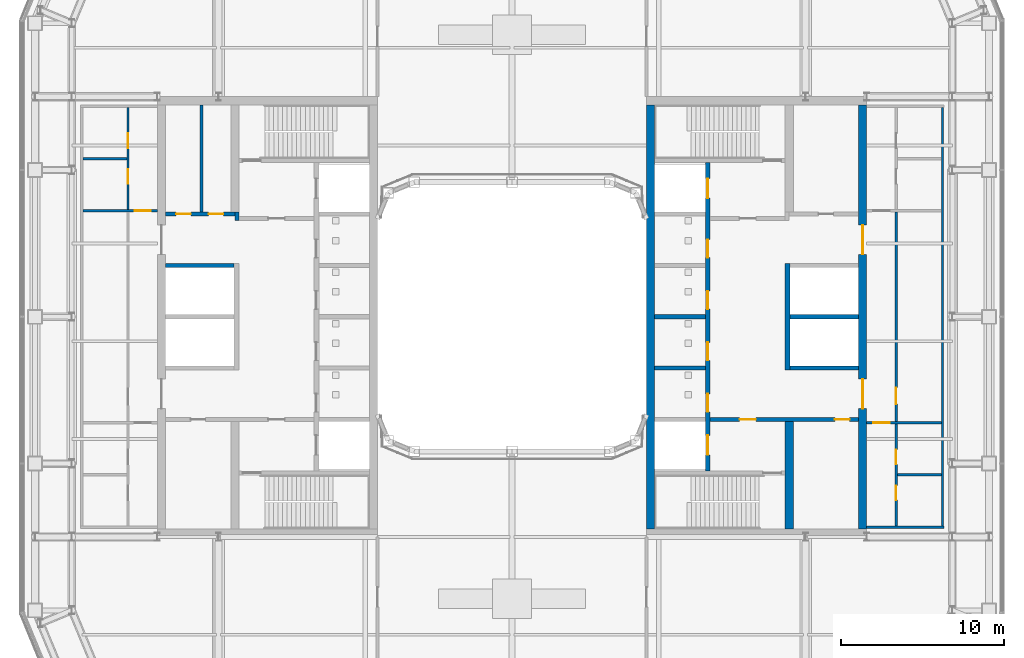
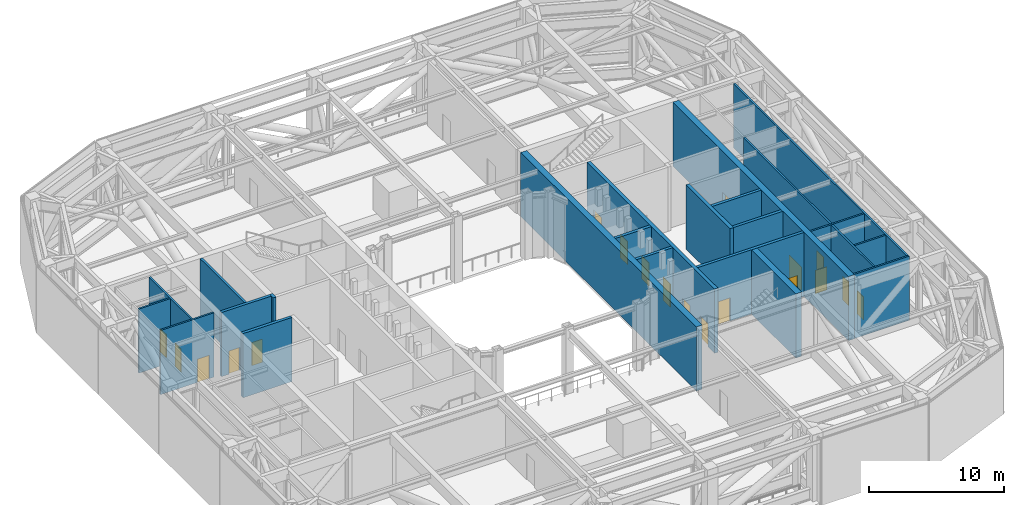
# One storey, part 12 of 22: 23 walls, 19 doors, 19 openings.
"""IFC4 building model written with IfcOpenShell, lengths in metres."""

import ifcopenshell
import ifcopenshell.guid

model = None  # the IFC model being written
_history = None  # IfcOwnerHistory: only IFC2X3 demands one
_inside = {}  # id of a spatial element -> (the spatial element, [elements in it])
_under = {}  # id of a project, library or spatial element -> (it, [spatial elements below it])
_declared = {}  # id of a project -> (the project, [libraries it declares])
_typed = {}  # id of a type object -> (the type object, [elements of that type])
_made_of = {}  # id of a material, layer set ... -> (it, [elements and type objects made of it])


def new_model(schema):
    """Start an empty IFC model of exactly this schema.

    Asked for "IFC4X3", IfcOpenShell would pick the latest addendum, in which some entities
    have other attributes; the version numbers below select the first issue.
    IFC2X3 requires an IfcOwnerHistory on every rooted entity: one is made here for all.
    """
    global model, _history
    if schema == "IFC4X3":
        model = ifcopenshell.file(schema_version=(4, 3, 0, 0))
    else:
        model = ifcopenshell.file(schema=schema)
    _inside.clear()
    _under.clear()
    _declared.clear()
    _typed.clear()
    _made_of.clear()
    _history = None
    if model.schema == "IFC2X3":
        org = make("IfcOrganization", Name="unknown")
        user = make(
            "IfcPersonAndOrganization",
            ThePerson=make("IfcPerson", FamilyName="unknown"),
            TheOrganization=org,
        )
        app = make(
            "IfcApplication",
            ApplicationDeveloper=org,
            Version="unknown",
            ApplicationFullName="unknown",
            ApplicationIdentifier="unknown",
        )
        _history = make(
            "IfcOwnerHistory",
            OwningUser=user,
            OwningApplication=app,
            ChangeAction="ADDED",
            CreationDate=0,
        )
    return model


def make(cls, **values):
    """One entity of the class cls with the attributes given. An attribute that is None is left unset."""
    return model.create_entity(
        cls, **{name: value for name, value in values.items() if value is not None}
    )


def rooted(cls, **values):
    """An entity with a GlobalId (a new one), such as an element, a storey or a relation."""
    return make(cls, GlobalId=ifcopenshell.guid.new(), OwnerHistory=_history, **values)


def si_unit(unit_type, name, prefix=None):
    """IfcSIUnit, for example si_unit("LENGTHUNIT", "METRE", prefix="MILLI")."""
    return make("IfcSIUnit", UnitType=unit_type, Prefix=prefix, Name=name)


def assignment(units):
    """IfcUnitAssignment: the units of a project."""
    return None if units is None else make("IfcUnitAssignment", Units=units)


def point(xyz):
    """IfcCartesianPoint."""
    return None if xyz is None else make("IfcCartesianPoint", Coordinates=xyz)


def direction(xyz):
    """IfcDirection."""
    return None if xyz is None else make("IfcDirection", DirectionRatios=xyz)


def frame(location, z_axis=None, x_axis=None):
    """IfcAxis2Placement3D, a coordinate frame: its origin and axes. An axis left out is left unset."""
    return make(
        "IfcAxis2Placement3D",
        Location=point(location),
        Axis=direction(z_axis),
        RefDirection=direction(x_axis),
    )


def frame_2d(location, x_axis=None):
    """IfcAxis2Placement2D, a coordinate frame in the plane: its origin and x axis."""
    return make(
        "IfcAxis2Placement2D", Location=point(location), RefDirection=direction(x_axis)
    )


def origin():
    """The frame at (0, 0, 0) with its axes left unset."""
    return frame((0.0, 0.0, 0.0))


def place(relative_to, where):
    """IfcLocalPlacement: puts the frame where relative to a parent placement (None: the world)."""
    return make(
        "IfcLocalPlacement", PlacementRelTo=relative_to, RelativePlacement=where
    )


def context(
    kind, dimensions, precision=None, world=None, true_north=None, identifier=None
):
    """IfcGeometricRepresentationContext, for example the 3D "Model" context."""
    return make(
        "IfcGeometricRepresentationContext",
        ContextIdentifier=identifier,
        ContextType=kind,
        CoordinateSpaceDimension=dimensions,
        Precision=precision,
        WorldCoordinateSystem=world,
        TrueNorth=true_north,
    )


def subcontext(parent, identifier, kind, view, scale=None):
    """IfcGeometricRepresentationSubContext, for example "Body" below "Model"."""
    return make(
        "IfcGeometricRepresentationSubContext",
        ContextIdentifier=identifier,
        ContextType=kind,
        ParentContext=parent,
        TargetScale=scale,
        TargetView=view,
    )


def project(units=None, contexts=None):
    """IfcProject with its units and contexts."""
    return rooted(
        "IfcProject",
        Name="project",
        RepresentationContexts=contexts,
        UnitsInContext=assignment(units),
    )


def spatial(cls, under=None, at=None, **own):
    """A site, building, storey or space (cls), placed at a placement, below another one or the project."""
    s = rooted(cls, ObjectPlacement=at, **own)
    if under is not None:
        _under.setdefault(under.id(), (under, []))[1].append(s)
    return s


def profile(cls, at=None, kind="AREA", **sizes):
    """A parametric profile (cls). Its sizes go by their IFC names, for example OverallWidth=200.0."""
    return make(cls, ProfileType=kind, Position=at, **sizes)


def rectangle(**sizes):
    """IfcRectangleProfileDef."""
    return profile("IfcRectangleProfileDef", **sizes)


def extrude(swept, where, along, depth):
    """IfcExtrudedAreaSolid: the profile swept, set in the frame where, extruded along a direction by depth."""
    return make(
        "IfcExtrudedAreaSolid",
        SweptArea=swept,
        Position=where,
        ExtrudedDirection=direction(along),
        Depth=depth,
    )


def shape(context_of_items, identifier, shape_type, items):
    """IfcShapeRepresentation: the items that make up one representation, for example the "Body"."""
    return make(
        "IfcShapeRepresentation",
        ContextOfItems=context_of_items,
        RepresentationIdentifier=identifier,
        RepresentationType=shape_type,
        Items=items,
    )


def material(Name=None, Category=None):
    """IfcMaterial."""
    return make("IfcMaterial", Name=Name, Category=Category)


def layer(
    of_material, thickness, ventilated=None, Name=None, Category=None, Priority=None
):
    """IfcMaterialLayer: one layer of a wall or slab, of a material (None: an air gap)."""
    return make(
        "IfcMaterialLayer",
        Material=of_material,
        LayerThickness=thickness,
        IsVentilated=ventilated,
        Name=Name,
        Category=Category,
        Priority=Priority,
    )


def layer_set(layers, Name=None):
    """IfcMaterialLayerSet."""
    return make("IfcMaterialLayerSet", MaterialLayers=layers, LayerSetName=Name)


def made_of(thing, what):
    """Note that an element or type object is made of a material, layer set ...; save() writes the relation."""
    if what is not None:
        _made_of.setdefault(what.id(), (what, []))[1].append(thing)
    return thing


def type_object(cls, material=None, **own):
    """A type object (cls), such as IfcWallType, which elements share."""
    return made_of(rooted(cls, **own), material)


def element(
    cls,
    number,
    at=None,
    inside=None,
    cuts=None,
    type_object=None,
    material=None,
    context=None,
    identifier="Body",
    shape_type=None,
    held_by="IfcProductDefinitionShape",
    body=None,
    shapes=None,
    **own,
):
    """One element of the class cls, such as IfcWall. Its Tag is "e" and its number.

    at: its placement. inside: the storey or other place that contains it. cuts: it is an
    opening in that element (IfcRelVoidsElement). A single representation is given by context,
    identifier, shape_type and body (its items); several are given by shapes. held_by: the class
    of the entity that holds the representations. save() writes the other relations.
    """
    e = rooted(cls, Tag="e%d" % number, ObjectPlacement=at, **own)
    if body is not None:
        shapes = [shape(context, identifier, shape_type, body)]
    if shapes is not None:
        e.Representation = make(held_by, Representations=shapes)
    if inside is not None:
        _inside.setdefault(inside.id(), (inside, []))[1].append(e)
    if cuts is not None:
        rooted(
            "IfcRelVoidsElement", RelatingBuildingElement=cuts, RelatedOpeningElement=e
        )
    if type_object is not None:
        _typed.setdefault(type_object.id(), (type_object, []))[1].append(e)
    return made_of(e, material)


def fill(opening, filler):
    """IfcRelFillsElement: the door or window that sits in an opening."""
    return rooted(
        "IfcRelFillsElement",
        RelatingOpeningElement=opening,
        RelatedBuildingElement=filler,
    )


def aggregate(whole, parts):
    """IfcRelAggregates: a whole, such as a stair, and the parts it consists of."""
    return rooted("IfcRelAggregates", RelatingObject=whole, RelatedObjects=parts)


def save(model, path):
    """Write the relations noted so far, then the file.

    IfcRelAggregates (storeys below a building ...), IfcRelContainedInSpatialStructure (elements
    in a storey), IfcRelDefinesByType, IfcRelAssociatesMaterial and IfcRelDeclares: one each for
    every whole, place, type object, material and project.
    """
    for whole, parts in _under.values():
        aggregate(whole, parts)
    for where, things in _inside.values():
        rooted(
            "IfcRelContainedInSpatialStructure",
            RelatedElements=things,
            RelatingStructure=where,
        )
    for kind, things in _typed.values():
        rooted("IfcRelDefinesByType", RelatedObjects=things, RelatingType=kind)
    for what, things in _made_of.values():
        rooted("IfcRelAssociatesMaterial", RelatedObjects=things, RelatingMaterial=what)
    for by, libraries in _declared.values():
        rooted("IfcRelDeclares", RelatingContext=by, RelatedDefinitions=libraries)
    model.write(path)


model = new_model("IFC4")

# Units and contexts
model_context = context("Model", 3, precision=1e-05, world=origin(), true_north=direction((0.0, 1.0)))
body_context = subcontext(model_context, "Body", "Model", "MODEL_VIEW")
ifc_project = project(units=[si_unit("LENGTHUNIT", "METRE"), si_unit("AREAUNIT", "SQUARE_METRE"), si_unit("VOLUMEUNIT", "CUBIC_METRE"), si_unit("PLANEANGLEUNIT", "RADIAN"), si_unit("MASSUNIT", "GRAM", prefix="KILO")], contexts=[model_context])

# Site, building, storey
site_placement = place(None, origin())
site = spatial("IfcSite", under=ifc_project, at=site_placement, CompositionType="ELEMENT")
building_placement = place(site_placement, origin())
building = spatial("IfcBuilding", under=site, at=building_placement, Name="Siwar Civic Tower", CompositionType="ELEMENT")
storey_placement = place(building_placement, frame((0.0, 0.0, 181.199951171875)))
storey = spatial("IfcBuildingStorey", under=building, at=storey_placement, Name="L39", CompositionType="ELEMENT", Elevation=181.199951171875)

# Walls
ifc_material_1 = material(Name="Gypsum board on steel studs", Category="steel")
ifc_layer_1 = layer(ifc_material_1, 0.14990234375)
ifc_layer_set_1 = layer_set([ifc_layer_1], Name="Gypsum board on steel studs")
wall_type_1 = type_object("IfcWallType", Name="COMPARTMENT PARTITION 150 EI 60", PredefinedType="PARTITIONING", material=ifc_layer_set_1)
wall_1_placement = place(storey_placement, frame((21.75, -12.89990234375, 0.0), z_axis=(0.0, 0.0, 1.0), x_axis=(1.0, 0.0, 0.0)))
element("IfcWall", 1, at=wall_1_placement, inside=storey, type_object=wall_type_1, Name="L39/wall/P02", PredefinedType="PARTITIONING", context=body_context, shape_type="SweptSolid", body=[
    extrude(rectangle(XDim=4.72509765625, YDim=0.14990234375, at=frame_2d((2.362548828125, 0.0))), origin(), (0.0, 0.0, 1.0), 5.800048828125),
])
wall_2_placement = place(storey_placement, frame((23.625, -9.699951171875, 0.0), z_axis=(0.0, 0.0, 1.0), x_axis=(1.0, 0.0, 0.0)))
element("IfcWall", 2, at=wall_2_placement, inside=storey, type_object=wall_type_1, Name="L39/wall/P04", PredefinedType="PARTITIONING", context=body_context, shape_type="SweptSolid", body=[
    extrude(rectangle(XDim=2.699951171875, YDim=0.14990234375, at=frame_2d((1.35009765625, 0.0))), origin(), (0.0, 0.0, 1.0), 5.800048828125),
])

# Wall, opening, door
wall_3_placement = place(storey_placement, frame((21.75, -6.5, 0.0), z_axis=(0.0, 0.0, 1.0), x_axis=(1.0, 0.0, 0.0)))
wall_3 = element("IfcWall", 3, at=wall_3_placement, inside=storey, type_object=wall_type_1, Name="L39/wall/P06", PredefinedType="PARTITIONING", context=body_context, shape_type="SweptSolid", body=[
    extrude(rectangle(XDim=4.574951171875, YDim=0.14990234375, at=frame_2d((2.28759765625, 0.0))), origin(), (0.0, 0.0, 1.0), 5.800048828125),
])
opening_1_placement = place(wall_3_placement, frame((0.39990234375, 0.0, 0.0)))
opening_1 = element("IfcOpeningElement", 4, at=opening_1_placement, cuts=wall_3, Name="Opening D1", PredefinedType="OPENING", context=body_context, shape_type="SweptSolid", body=[
    extrude(rectangle(XDim=1.0, YDim=2.10009765625, at=frame_2d((0.5, 1.050048828125))), frame((0.0, 0.0849609375, 0.0), z_axis=(0.0, -1.0, 0.0), x_axis=(1.0, 0.0, 0.0)), (0.0, 0.0, 1.0), 0.169921875),
])
ifc_material_2 = material(Name="Timber, painted", Category="wood")
door_type_1 = type_object("IfcDoorType", Name="DOOR 1000 X 2100 FD30", OperationType="SINGLE_SWING_LEFT", PredefinedType="DOOR", material=ifc_material_2)
door_1_placement = place(opening_1_placement, origin())
door_1 = element("IfcDoor", 5, at=door_1_placement, inside=storey, type_object=door_type_1, Name="L39-D02", OperationType="SINGLE_SWING_RIGHT", OverallHeight=2.10009765625, OverallWidth=1.0, PredefinedType="DOOR", context=body_context, shape_type="SweptSolid", body=[
    extrude(rectangle(XDim=1.0, YDim=2.10009765625, at=frame_2d((0.5, 1.050048828125))), frame((0.0, 0.02490234375, 0.0), z_axis=(0.0, -1.0, 0.0), x_axis=(1.0, 0.0, 0.0)), (0.0, 0.0, 1.0), 0.050048828125),
])
fill(opening_1, door_1)

wall_4_placement = place(storey_placement, frame((-26.324951171875, 6.5, 0.0), z_axis=(0.0, 0.0, 1.0), x_axis=(1.0, 0.0, 0.0)))
wall_4 = element("IfcWall", 6, at=wall_4_placement, inside=storey, type_object=wall_type_1, Name="L39/wall/P07", PredefinedType="PARTITIONING", context=body_context, shape_type="SweptSolid", body=[
    extrude(rectangle(XDim=4.574951171875, YDim=0.14990234375, at=frame_2d((2.28759765625, 0.0))), origin(), (0.0, 0.0, 1.0), 5.800048828125),
])
opening_2_placement = place(wall_4_placement, frame((3.175048828125, 0.0, 0.0)))
opening_2 = element("IfcOpeningElement", 7, at=opening_2_placement, cuts=wall_4, Name="Opening D1", PredefinedType="OPENING", context=body_context, shape_type="SweptSolid", body=[
    extrude(rectangle(XDim=1.0, YDim=2.10009765625, at=frame_2d((0.5, 1.050048828125))), frame((0.0, 0.0849609375, 0.0), z_axis=(0.0, -1.0, 0.0), x_axis=(1.0, 0.0, 0.0)), (0.0, 0.0, 1.0), 0.169921875),
])
door_2_placement = place(opening_2_placement, origin())
door_2 = element("IfcDoor", 8, at=door_2_placement, inside=storey, type_object=door_type_1, Name="L39-D08", OperationType="SINGLE_SWING_RIGHT", OverallHeight=2.10009765625, OverallWidth=1.0, PredefinedType="DOOR", context=body_context, shape_type="SweptSolid", body=[
    extrude(rectangle(XDim=1.0, YDim=2.10009765625, at=frame_2d((0.5, 1.050048828125))), frame((0.0, 0.02490234375, 0.0), z_axis=(0.0, -1.0, 0.0), x_axis=(1.0, 0.0, 0.0)), (0.0, 0.0, 1.0), 0.050048828125),
])
fill(opening_2, door_2)

# Wall
wall_5_placement = place(storey_placement, frame((-26.324951171875, 9.699951171875, 0.0), z_axis=(0.0, 0.0, 1.0), x_axis=(1.0, 0.0, 0.0)))
element("IfcWall", 9, at=wall_5_placement, inside=storey, type_object=wall_type_1, Name="L39/wall/P09", PredefinedType="PARTITIONING", context=body_context, shape_type="SweptSolid", body=[
    extrude(rectangle(XDim=2.699951171875, YDim=0.14990234375, at=frame_2d((1.35009765625, 0.0))), origin(), (0.0, 0.0, 1.0), 5.800048828125),
])

# Wall, openings, doors
wall_6_placement = place(storey_placement, frame((-23.550048828125, 6.574951171875, 0.0), z_axis=(0.0, 0.0, 1.0), x_axis=(0.0, 1.0, 0.0)))
wall_6 = element("IfcWall", 10, at=wall_6_placement, inside=storey, type_object=wall_type_1, Name="L39/wall/P16", PredefinedType="PARTITIONING", context=body_context, shape_type="SweptSolid", body=[
    extrude(rectangle(XDim=6.25, YDim=0.14990234375, at=frame_2d((3.125, 0.0))), origin(), (0.0, 0.0, 1.0), 5.800048828125),
])
opening_3_placement = place(wall_6_placement, frame((1.574951171875, 0.0, 0.0)))
opening_3 = element("IfcOpeningElement", 11, at=opening_3_placement, cuts=wall_6, Name="Opening D4", PredefinedType="OPENING", context=body_context, shape_type="SweptSolid", body=[
    extrude(rectangle(XDim=0.89990234375, YDim=2.10009765625, at=frame_2d((0.449951171875, 1.050048828125))), frame((0.0, 0.0849609375, 0.0), z_axis=(0.0, -1.0, 0.0), x_axis=(1.0, 0.0, 0.0)), (0.0, 0.0, 1.0), 0.169921875),
])
opening_4_placement = place(wall_6_placement, frame((3.77490234375, 0.0, 0.0)))
opening_4 = element("IfcOpeningElement", 12, at=opening_4_placement, cuts=wall_6, Name="Opening D4", PredefinedType="OPENING", context=body_context, shape_type="SweptSolid", body=[
    extrude(rectangle(XDim=0.89990234375, YDim=2.10009765625, at=frame_2d((0.449951171875, 1.050048828125))), frame((0.0, 0.0849609375, 0.0), z_axis=(0.0, -1.0, 0.0), x_axis=(1.0, 0.0, 0.0)), (0.0, 0.0, 1.0), 0.169921875),
])
ifc_material_3 = material(Name="Timber, painted", Category="wood")
door_type_2 = type_object("IfcDoorType", Name="DOOR 900 X 2100 FD60", OperationType="SINGLE_SWING_LEFT", PredefinedType="DOOR", material=ifc_material_3)
door_3_placement = place(opening_3_placement, origin())
door_3 = element("IfcDoor", 13, at=door_3_placement, inside=storey, type_object=door_type_2, Name="L39-D11", OperationType="SINGLE_SWING_LEFT", OverallHeight=2.10009765625, OverallWidth=0.89990234375, PredefinedType="DOOR", context=body_context, shape_type="SweptSolid", body=[
    extrude(rectangle(XDim=0.89990234375, YDim=2.10009765625, at=frame_2d((0.449951171875, 1.050048828125))), frame((0.0, 0.02490234375, 0.0), z_axis=(0.0, -1.0, 0.0), x_axis=(1.0, 0.0, 0.0)), (0.0, 0.0, 1.0), 0.050048828125),
])
fill(opening_3, door_3)
door_4_placement = place(opening_4_placement, origin())
door_4 = element("IfcDoor", 14, at=door_4_placement, inside=storey, type_object=door_type_2, Name="L39-D12", OperationType="SINGLE_SWING_RIGHT", OverallHeight=2.10009765625, OverallWidth=0.89990234375, PredefinedType="DOOR", context=body_context, shape_type="SweptSolid", body=[
    extrude(rectangle(XDim=0.89990234375, YDim=2.10009765625, at=frame_2d((0.449951171875, 1.050048828125))), frame((0.0, 0.02490234375, 0.0), z_axis=(0.0, -1.0, 0.0), x_axis=(1.0, 0.0, 0.0)), (0.0, 0.0, 1.0), 0.050048828125),
])
fill(opening_4, door_4)

wall_7_placement = place(storey_placement, frame((23.550048828125, -12.824951171875, 0.0), z_axis=(0.0, 0.0, 1.0), x_axis=(0.0, 1.0, 0.0)))
wall_7 = element("IfcWall", 15, at=wall_7_placement, inside=storey, type_object=wall_type_1, Name="L39/wall/P17", PredefinedType="PARTITIONING", context=body_context, shape_type="SweptSolid", body=[
    extrude(rectangle(XDim=6.25, YDim=0.14990234375, at=frame_2d((3.125, 0.0))), origin(), (0.0, 0.0, 1.0), 5.800048828125),
])
opening_5_placement = place(wall_7_placement, frame((1.574951171875, 0.0, 0.0)))
opening_5 = element("IfcOpeningElement", 16, at=opening_5_placement, cuts=wall_7, Name="Opening D4", PredefinedType="OPENING", context=body_context, shape_type="SweptSolid", body=[
    extrude(rectangle(XDim=0.89990234375, YDim=2.10009765625, at=frame_2d((0.449951171875, 1.050048828125))), frame((0.0, 0.0849609375, 0.0), z_axis=(0.0, -1.0, 0.0), x_axis=(1.0, 0.0, 0.0)), (0.0, 0.0, 1.0), 0.169921875),
])
opening_6_placement = place(wall_7_placement, frame((3.77490234375, 0.0, 0.0)))
opening_6 = element("IfcOpeningElement", 17, at=opening_6_placement, cuts=wall_7, Name="Opening D4", PredefinedType="OPENING", context=body_context, shape_type="SweptSolid", body=[
    extrude(rectangle(XDim=0.89990234375, YDim=2.10009765625, at=frame_2d((0.449951171875, 1.050048828125))), frame((0.0, 0.0849609375, 0.0), z_axis=(0.0, -1.0, 0.0), x_axis=(1.0, 0.0, 0.0)), (0.0, 0.0, 1.0), 0.169921875),
])
door_5_placement = place(opening_5_placement, origin())
door_5 = element("IfcDoor", 18, at=door_5_placement, inside=storey, type_object=door_type_2, Name="L39-D06", OperationType="SINGLE_SWING_RIGHT", OverallHeight=2.10009765625, OverallWidth=0.89990234375, PredefinedType="DOOR", context=body_context, shape_type="SweptSolid", body=[
    extrude(rectangle(XDim=0.89990234375, YDim=2.10009765625, at=frame_2d((0.449951171875, 1.050048828125))), frame((0.0, 0.02490234375, 0.0), z_axis=(0.0, -1.0, 0.0), x_axis=(1.0, 0.0, 0.0)), (0.0, 0.0, 1.0), 0.050048828125),
])
fill(opening_5, door_5)
door_6_placement = place(opening_6_placement, origin())
door_6 = element("IfcDoor", 19, at=door_6_placement, inside=storey, type_object=door_type_2, Name="L39-D07", OperationType="SINGLE_SWING_LEFT", OverallHeight=2.10009765625, OverallWidth=0.89990234375, PredefinedType="DOOR", context=body_context, shape_type="SweptSolid", body=[
    extrude(rectangle(XDim=0.89990234375, YDim=2.10009765625, at=frame_2d((0.449951171875, 1.050048828125))), frame((0.0, 0.02490234375, 0.0), z_axis=(0.0, -1.0, 0.0), x_axis=(1.0, 0.0, 0.0)), (0.0, 0.0, 1.0), 0.050048828125),
])
fill(opening_6, door_6)

# Wall, opening, door
wall_8_placement = place(storey_placement, frame((23.550048828125, -6.425048828125, 0.0), z_axis=(0.0, 0.0, 1.0), x_axis=(0.0, 1.0, 0.0)))
wall_8 = element("IfcWall", 20, at=wall_8_placement, inside=storey, type_object=wall_type_1, Name="L39/wall/P18", PredefinedType="PARTITIONING", context=body_context, shape_type="SweptSolid", body=[
    extrude(rectangle(XDim=12.85009765625, YDim=0.14990234375, at=frame_2d((6.425048828125, 0.0))), origin(), (0.0, 0.0, 1.0), 5.800048828125),
])
opening_7_placement = place(wall_8_placement, frame((1.074951171875, 0.0, 0.0)))
opening_7 = element("IfcOpeningElement", 21, at=opening_7_placement, cuts=wall_8, Name="Opening D1", PredefinedType="OPENING", context=body_context, shape_type="SweptSolid", body=[
    extrude(rectangle(XDim=1.0, YDim=2.10009765625, at=frame_2d((0.5, 1.050048828125))), frame((0.0, 0.0849609375, 0.0), z_axis=(0.0, -1.0, 0.0), x_axis=(1.0, 0.0, 0.0)), (0.0, 0.0, 1.0), 0.169921875),
])
door_7_placement = place(opening_7_placement, origin())
door_7 = element("IfcDoor", 22, at=door_7_placement, inside=storey, type_object=door_type_1, Name="L39-D03", OperationType="SINGLE_SWING_LEFT", OverallHeight=2.10009765625, OverallWidth=1.0, PredefinedType="DOOR", context=body_context, shape_type="SweptSolid", body=[
    extrude(rectangle(XDim=1.0, YDim=2.10009765625, at=frame_2d((0.5, 1.050048828125))), frame((0.0, 0.02490234375, 0.0), z_axis=(0.0, -1.0, 0.0), x_axis=(1.0, 0.0, 0.0)), (0.0, 0.0, 1.0), 0.050048828125),
])
fill(opening_7, door_7)

# Walls
wall_9_placement = place(storey_placement, frame((26.39990234375, -12.824951171875, 0.0), z_axis=(0.0, 0.0, 1.0), x_axis=(0.0, 1.0, 0.0)))
element("IfcWall", 23, at=wall_9_placement, inside=storey, type_object=wall_type_1, Name="L39/wall/P20", PredefinedType="PARTITIONING", context=body_context, shape_type="SweptSolid", body=[
    extrude(rectangle(XDim=25.64990234375, YDim=0.14990234375, at=frame_2d((12.824951171875, 0.0))), origin(), (0.0, 0.0, 1.0), 5.800048828125),
])
ifc_material_4 = material(Name="Gypsum board on steel studs", Category="steel")
ifc_layer_2 = layer(ifc_material_4, 0.199951171875)
ifc_layer_set_2 = layer_set([ifc_layer_2], Name="Gypsum board on steel studs")
wall_type_2 = type_object("IfcWallType", Name="CORE-PARTITION-200", PredefinedType="PARTITIONING", material=ifc_layer_set_2)
wall_10_placement = place(storey_placement, frame((-19.050048828125, 6.425048828125, 0.0), z_axis=(0.0, 0.0, 1.0), x_axis=(0.0, 1.0, 0.0)))
element("IfcWall", 24, at=wall_10_placement, inside=storey, type_object=wall_type_2, Name="Core partition W", PredefinedType="PARTITIONING", context=body_context, shape_type="SweptSolid", body=[
    extrude(rectangle(XDim=6.574951171875, YDim=0.199951171875, at=frame_2d((3.28759765625, 0.0))), origin(), (0.0, 0.0, 1.0), 5.800048828125),
])
ifc_material_5 = material(Name="Concrete C60/75", Category="concrete")
ifc_layer_3 = layer(ifc_material_5, 0.25)
ifc_layer_set_3 = layer_set([ifc_layer_3], Name="Concrete C60/75")
wall_type_3 = type_object("IfcWallType", Name="CORE-WALL-RC250", PredefinedType="SHEAR", material=ifc_layer_set_3)
wall_11_placement = place(storey_placement, frame((-16.875, 5.89990234375, 0.0), z_axis=(0.0, 0.0, 1.0), x_axis=(0.0, 1.0, 0.0)))
element("IfcWall", 25, at=wall_11_placement, inside=storey, type_object=wall_type_3, Name="Core wall W", PredefinedType="SHEAR", context=body_context, shape_type="SweptSolid", body=[
    extrude(rectangle(XDim=0.525146484375, YDim=0.25, at=frame_2d((0.2626953125, 0.0))), origin(), (0.0, 0.0, 1.0), 5.800048828125),
])

# Wall, openings, doors
wall_12_placement = place(storey_placement, frame((-17.0, 6.300048828125, 0.0), z_axis=(0.0, 0.0, 1.0), x_axis=(-1.0, 0.0, 0.0)))
wall_12 = element("IfcWall", 26, at=wall_12_placement, inside=storey, type_object=wall_type_3, Name="Core wall W", PredefinedType="SHEAR", context=body_context, shape_type="SweptSolid", body=[
    extrude(rectangle(XDim=4.25, YDim=0.25, at=frame_2d((2.125, 0.0))), origin(), (0.0, 0.0, 1.0), 5.800048828125),
])
opening_8_placement = place(wall_12_placement, frame((0.699951171875, 0.0, 0.0)))
opening_8 = element("IfcOpeningElement", 27, at=opening_8_placement, cuts=wall_12, Name="Opening L39-CW13", PredefinedType="OPENING", context=body_context, shape_type="SweptSolid", body=[
    extrude(rectangle(XDim=0.89990234375, YDim=2.10009765625, at=frame_2d((0.449951171875, 1.050048828125))), frame((0.0, 0.135009765625, 0.0), z_axis=(0.0, -1.0, 0.0), x_axis=(1.0, 0.0, 0.0)), (0.0, 0.0, 1.0), 0.27001953125),
])
opening_9_placement = place(wall_12_placement, frame((2.699951171875, 0.0, 0.0)))
opening_9 = element("IfcOpeningElement", 28, at=opening_9_placement, cuts=wall_12, Name="Opening L39-CW14", PredefinedType="OPENING", context=body_context, shape_type="SweptSolid", body=[
    extrude(rectangle(XDim=0.89990234375, YDim=2.10009765625, at=frame_2d((0.449951171875, 1.050048828125))), frame((0.0, 0.135009765625, 0.0), z_axis=(0.0, -1.0, 0.0), x_axis=(1.0, 0.0, 0.0)), (0.0, 0.0, 1.0), 0.27001953125),
])
ifc_material_6 = material(Name="Steel door leaf", Category="steel")
door_type_3 = type_object("IfcDoorType", Name="CORE-DOOR-ROOM", OperationType="SINGLE_SWING_LEFT", PredefinedType="DOOR", material=ifc_material_6)
door_8_placement = place(opening_8_placement, origin())
door_8 = element("IfcDoor", 29, at=door_8_placement, inside=storey, type_object=door_type_3, Name="Core room door L39-CW13", OperationType="SINGLE_SWING_RIGHT", OverallHeight=2.10009765625, OverallWidth=0.89990234375, PredefinedType="DOOR", context=body_context, shape_type="SweptSolid", body=[
    extrude(rectangle(XDim=0.89990234375, YDim=2.10009765625, at=frame_2d((0.449951171875, 1.050048828125))), frame((0.0, 0.02490234375, 0.0), z_axis=(0.0, -1.0, 0.0), x_axis=(1.0, 0.0, 0.0)), (0.0, 0.0, 1.0), 0.050048828125),
])
fill(opening_8, door_8)
door_9_placement = place(opening_9_placement, origin())
door_9 = element("IfcDoor", 30, at=door_9_placement, inside=storey, type_object=door_type_3, Name="Core room door L39-CW14", OperationType="SINGLE_SWING_LEFT", OverallHeight=2.10009765625, OverallWidth=0.89990234375, PredefinedType="DOOR", context=body_context, shape_type="SweptSolid", body=[
    extrude(rectangle(XDim=0.89990234375, YDim=2.10009765625, at=frame_2d((0.449951171875, 1.050048828125))), frame((0.0, 0.02490234375, 0.0), z_axis=(0.0, -1.0, 0.0), x_axis=(1.0, 0.0, 0.0)), (0.0, 0.0, 1.0), 0.050048828125),
])
fill(opening_9, door_9)

# Wall
wall_13_placement = place(storey_placement, frame((-17.050048828125, 3.14990234375, 0.0), z_axis=(0.0, 0.0, 1.0), x_axis=(-1.0, 0.0, 0.0)))
element("IfcWall", 31, at=wall_13_placement, inside=storey, type_object=wall_type_3, Name="Core wall W", PredefinedType="SHEAR", context=body_context, shape_type="SweptSolid", body=[
    extrude(rectangle(XDim=4.199951171875, YDim=0.25, at=frame_2d((2.10009765625, 0.0))), origin(), (0.0, 0.0, 1.0), 5.800048828125),
])

# Wall, openings, doors
wall_14_placement = place(storey_placement, frame((12.14990234375, -6.300048828125, 0.0), z_axis=(0.0, 0.0, 1.0), x_axis=(1.0, 0.0, 0.0)))
wall_14 = element("IfcWall", 32, at=wall_14_placement, inside=storey, type_object=wall_type_3, Name="Core wall E", PredefinedType="SHEAR", context=body_context, shape_type="SweptSolid", body=[
    extrude(rectangle(XDim=9.10009765625, YDim=0.25, at=frame_2d((4.550048828125, 0.0))), origin(), (0.0, 0.0, 1.0), 5.800048828125),
])
opening_10_placement = place(wall_14_placement, frame((1.800048828125, 0.0, 0.0)))
opening_10 = element("IfcOpeningElement", 33, at=opening_10_placement, cuts=wall_14, Name="Opening L39-CE02", PredefinedType="OPENING", context=body_context, shape_type="SweptSolid", body=[
    extrude(rectangle(XDim=1.0, YDim=2.10009765625, at=frame_2d((0.5, 1.050048828125))), frame((0.0, 0.135009765625, 0.0), z_axis=(0.0, -1.0, 0.0), x_axis=(1.0, 0.0, 0.0)), (0.0, 0.0, 1.0), 0.27001953125),
])
opening_11_placement = place(wall_14_placement, frame((7.64990234375, 0.0, 0.0)))
opening_11 = element("IfcOpeningElement", 34, at=opening_11_placement, cuts=wall_14, Name="Opening L39-CE14", PredefinedType="OPENING", context=body_context, shape_type="SweptSolid", body=[
    extrude(rectangle(XDim=0.89990234375, YDim=2.10009765625, at=frame_2d((0.449951171875, 1.050048828125))), frame((0.0, 0.135009765625, 0.0), z_axis=(0.0, -1.0, 0.0), x_axis=(1.0, 0.0, 0.0)), (0.0, 0.0, 1.0), 0.27001953125),
])
ifc_material_7 = material(Name="Steel door leaf", Category="steel")
door_type_4 = type_object("IfcDoorType", Name="CORE-DOOR-FD30S", OperationType="SINGLE_SWING_LEFT", PredefinedType="DOOR", material=ifc_material_7)
door_10_placement = place(opening_10_placement, origin())
door_10 = element("IfcDoor", 35, at=door_10_placement, inside=storey, type_object=door_type_4, Name="Service lobby door L39-CE02", OperationType="SINGLE_SWING_LEFT", OverallHeight=2.10009765625, OverallWidth=1.0, PredefinedType="DOOR", context=body_context, shape_type="SweptSolid", body=[
    extrude(rectangle(XDim=1.0, YDim=2.10009765625, at=frame_2d((0.5, 1.050048828125))), frame((0.0, 0.02490234375, 0.0), z_axis=(0.0, -1.0, 0.0), x_axis=(1.0, 0.0, 0.0)), (0.0, 0.0, 1.0), 0.050048828125),
])
fill(opening_10, door_10)
door_11_placement = place(opening_11_placement, origin())
door_11 = element("IfcDoor", 36, at=door_11_placement, inside=storey, type_object=door_type_3, Name="Core room door L39-CE14", OperationType="SINGLE_SWING_RIGHT", OverallHeight=2.10009765625, OverallWidth=0.89990234375, PredefinedType="DOOR", context=body_context, shape_type="SweptSolid", body=[
    extrude(rectangle(XDim=0.89990234375, YDim=2.10009765625, at=frame_2d((0.449951171875, 1.050048828125))), frame((0.0, 0.02490234375, 0.0), z_axis=(0.0, -1.0, 0.0), x_axis=(1.0, 0.0, 0.0)), (0.0, 0.0, 1.0), 0.050048828125),
])
fill(opening_11, door_11)

# Walls
for number, where, z_axis, x_axis, name in (
    (37, (17.050048828125, 0.0, 0.0), (0.0, 0.0, 1.0), (1.0, 0.0, 0.0), "Core wall E"),
    (38, (17.050048828125, -3.14990234375, 0.0), (0.0, 0.0, 1.0), (1.0, 0.0, 0.0), "Core wall E"),
):
    element("IfcWall", number, at=place(storey_placement, frame(where, z_axis=z_axis, x_axis=x_axis)), inside=storey, type_object=wall_type_3, Name=name, PredefinedType="SHEAR", context=body_context, shape_type="SweptSolid", body=[
        extrude(rectangle(XDim=4.199951171875, YDim=0.25, at=frame_2d((2.10009765625, 0.0))), origin(), (0.0, 0.0, 1.0), 5.800048828125),
    ])
for number, where, z_axis, x_axis, name in (
    (39, (8.75, 0.0, 0.0), (0.0, 0.0, 1.0), (1.0, 0.0, 0.0), "Core wall E"),
    (40, (8.75, -3.14990234375, 0.0), (0.0, 0.0, 1.0), (1.0, 0.0, 0.0), "Core wall E"),
):
    element("IfcWall", number, at=place(storey_placement, frame(where, z_axis=z_axis, x_axis=x_axis)), inside=storey, type_object=wall_type_3, Name=name, PredefinedType="SHEAR", context=body_context, shape_type="SweptSolid", body=[
        extrude(rectangle(XDim=3.10009765625, YDim=0.25, at=frame_2d((1.550048828125, 0.0))), origin(), (0.0, 0.0, 1.0), 5.800048828125),
    ])

# Wall, openings, doors
ifc_material_8 = material(Name="Concrete C60/75", Category="concrete")
ifc_layer_4 = layer(ifc_material_8, 0.300048828125)
ifc_layer_set_4 = layer_set([ifc_layer_4], Name="Concrete C60/75")
wall_type_4 = type_object("IfcWallType", Name="CORE-WALL-RC300", PredefinedType="SHEAR", material=ifc_layer_set_4)
wall_15_placement = place(storey_placement, frame((12.0, -9.449951171875, 0.0), z_axis=(0.0, 0.0, 1.0), x_axis=(0.0, 1.0, 0.0)))
wall_15 = element("IfcWall", 41, at=wall_15_placement, inside=storey, type_object=wall_type_4, Name="Core wall E", PredefinedType="SHEAR", context=body_context, shape_type="SweptSolid", body=[
    extrude(rectangle(XDim=18.89990234375, YDim=0.300048828125, at=frame_2d((9.449951171875, 0.0))), origin(), (0.0, 0.0, 1.0), 5.800048828125),
])
opening_12_placement = place(wall_15_placement, frame((3.625, 0.0, 0.0)))
opening_12 = element("IfcOpeningElement", 42, at=opening_12_placement, cuts=wall_15, Name="Opening L39-CE07", PredefinedType="OPENING", context=body_context, shape_type="SweptSolid", body=[
    extrude(rectangle(XDim=1.10009765625, YDim=2.10009765625, at=frame_2d((0.550048828125, 1.050048828125))), frame((0.0, 0.16015625, 0.0), z_axis=(0.0, -1.0, 0.0), x_axis=(1.0, 0.0, 0.0)), (0.0, 0.0, 1.0), 0.320068359375),
])
opening_13_placement = place(wall_15_placement, frame((6.77490234375, 0.0, 0.0)))
opening_13 = element("IfcOpeningElement", 43, at=opening_13_placement, cuts=wall_15, Name="Opening L39-CE08", PredefinedType="OPENING", context=body_context, shape_type="SweptSolid", body=[
    extrude(rectangle(XDim=1.10009765625, YDim=2.10009765625, at=frame_2d((0.550048828125, 1.050048828125))), frame((0.0, 0.16015625, 0.0), z_axis=(0.0, -1.0, 0.0), x_axis=(1.0, 0.0, 0.0)), (0.0, 0.0, 1.0), 0.320068359375),
])
opening_14_placement = place(wall_15_placement, frame((9.925048828125, 0.0, 0.0)))
opening_14 = element("IfcOpeningElement", 44, at=opening_14_placement, cuts=wall_15, Name="Opening L39-CE09", PredefinedType="OPENING", context=body_context, shape_type="SweptSolid", body=[
    extrude(rectangle(XDim=1.10009765625, YDim=2.10009765625, at=frame_2d((0.550048828125, 1.050048828125))), frame((0.0, 0.16015625, 0.0), z_axis=(0.0, -1.0, 0.0), x_axis=(1.0, 0.0, 0.0)), (0.0, 0.0, 1.0), 0.320068359375),
])
opening_15_placement = place(wall_15_placement, frame((13.074951171875, 0.0, 0.0)))
opening_15 = element("IfcOpeningElement", 45, at=opening_15_placement, cuts=wall_15, Name="Opening L39-CE10", PredefinedType="OPENING", context=body_context, shape_type="SweptSolid", body=[
    extrude(rectangle(XDim=1.10009765625, YDim=2.10009765625, at=frame_2d((0.550048828125, 1.050048828125))), frame((0.0, 0.16015625, 0.0), z_axis=(0.0, -1.0, 0.0), x_axis=(1.0, 0.0, 0.0)), (0.0, 0.0, 1.0), 0.320068359375),
])
opening_16_placement = place(wall_15_placement, frame((16.72509765625, 0.0, 0.0)))
opening_16 = element("IfcOpeningElement", 46, at=opening_16_placement, cuts=wall_15, Name="Opening L39-CE11", PredefinedType="OPENING", context=body_context, shape_type="SweptSolid", body=[
    extrude(rectangle(XDim=1.199951171875, YDim=2.10009765625, at=frame_2d((0.60009765625, 1.050048828125))), frame((0.0, 0.16015625, 0.0), z_axis=(0.0, -1.0, 0.0), x_axis=(1.0, 0.0, 0.0)), (0.0, 0.0, 1.0), 0.320068359375),
])
opening_17_placement = place(wall_15_placement, frame((0.97509765625, 0.0, 0.0)))
opening_17 = element("IfcOpeningElement", 47, at=opening_17_placement, cuts=wall_15, Name="Opening L39-CE12", PredefinedType="OPENING", context=body_context, shape_type="SweptSolid", body=[
    extrude(rectangle(XDim=1.199951171875, YDim=2.10009765625, at=frame_2d((0.60009765625, 1.050048828125))), frame((0.0, 0.16015625, 0.0), z_axis=(0.0, -1.0, 0.0), x_axis=(1.0, 0.0, 0.0)), (0.0, 0.0, 1.0), 0.320068359375),
])
ifc_material_9 = material(Name="Steel door leaf", Category="steel")
door_type_5 = type_object("IfcDoorType", Name="CORE-DOOR-LD", OperationType="DOUBLE_DOOR_SLIDING", PredefinedType="DOOR", material=ifc_material_9)
door_12_placement = place(opening_12_placement, origin())
door_12 = element("IfcDoor", 48, at=door_12_placement, inside=storey, type_object=door_type_5, Name="Landing door LR5 L39-CE07", OperationType="DOUBLE_DOOR_SLIDING", OverallHeight=2.10009765625, OverallWidth=1.10009765625, PredefinedType="DOOR", context=body_context, shape_type="SweptSolid", body=[
    extrude(rectangle(XDim=1.10009765625, YDim=2.10009765625, at=frame_2d((0.550048828125, 1.050048828125))), frame((0.0, 0.02490234375, 0.0), z_axis=(0.0, -1.0, 0.0), x_axis=(1.0, 0.0, 0.0)), (0.0, 0.0, 1.0), 0.050048828125),
])
fill(opening_12, door_12)
door_13_placement = place(opening_13_placement, origin())
door_13 = element("IfcDoor", 49, at=door_13_placement, inside=storey, type_object=door_type_5, Name="Landing door LR6 L39-CE08", OperationType="DOUBLE_DOOR_SLIDING", OverallHeight=2.10009765625, OverallWidth=1.10009765625, PredefinedType="DOOR", context=body_context, shape_type="SweptSolid", body=[
    extrude(rectangle(XDim=1.10009765625, YDim=2.10009765625, at=frame_2d((0.550048828125, 1.050048828125))), frame((0.0, 0.02490234375, 0.0), z_axis=(0.0, -1.0, 0.0), x_axis=(1.0, 0.0, 0.0)), (0.0, 0.0, 1.0), 0.050048828125),
])
fill(opening_13, door_13)
door_14_placement = place(opening_14_placement, origin())
door_14 = element("IfcDoor", 50, at=door_14_placement, inside=storey, type_object=door_type_5, Name="Landing door LR7 L39-CE09", OperationType="DOUBLE_DOOR_SLIDING", OverallHeight=2.10009765625, OverallWidth=1.10009765625, PredefinedType="DOOR", context=body_context, shape_type="SweptSolid", body=[
    extrude(rectangle(XDim=1.10009765625, YDim=2.10009765625, at=frame_2d((0.550048828125, 1.050048828125))), frame((0.0, 0.02490234375, 0.0), z_axis=(0.0, -1.0, 0.0), x_axis=(1.0, 0.0, 0.0)), (0.0, 0.0, 1.0), 0.050048828125),
])
fill(opening_14, door_14)
door_15_placement = place(opening_15_placement, origin())
door_15 = element("IfcDoor", 51, at=door_15_placement, inside=storey, type_object=door_type_5, Name="Landing door LR8 L39-CE10", OperationType="DOUBLE_DOOR_SLIDING", OverallHeight=2.10009765625, OverallWidth=1.10009765625, PredefinedType="DOOR", context=body_context, shape_type="SweptSolid", body=[
    extrude(rectangle(XDim=1.10009765625, YDim=2.10009765625, at=frame_2d((0.550048828125, 1.050048828125))), frame((0.0, 0.02490234375, 0.0), z_axis=(0.0, -1.0, 0.0), x_axis=(1.0, 0.0, 0.0)), (0.0, 0.0, 1.0), 0.050048828125),
])
fill(opening_15, door_15)
ifc_material_10 = material(Name="Steel door leaf", Category="steel")
door_type_6 = type_object("IfcDoorType", Name="CORE-DOOR-LDW", OperationType="DOUBLE_DOOR_SLIDING", PredefinedType="DOOR", material=ifc_material_10)
door_16_placement = place(opening_16_placement, origin())
door_16 = element("IfcDoor", 52, at=door_16_placement, inside=storey, type_object=door_type_6, Name="Landing door FF2 L39-CE11", OperationType="DOUBLE_DOOR_SLIDING", OverallHeight=2.10009765625, OverallWidth=1.199951171875, PredefinedType="DOOR", context=body_context, shape_type="SweptSolid", body=[
    extrude(rectangle(XDim=1.199951171875, YDim=2.10009765625, at=frame_2d((0.60009765625, 1.050048828125))), frame((0.0, 0.02490234375, 0.0), z_axis=(0.0, -1.0, 0.0), x_axis=(1.0, 0.0, 0.0)), (0.0, 0.0, 1.0), 0.050048828125),
])
fill(opening_16, door_16)
door_17_placement = place(opening_17_placement, origin())
door_17 = element("IfcDoor", 53, at=door_17_placement, inside=storey, type_object=door_type_6, Name="Landing door SV2 L39-CE12", OperationType="DOUBLE_DOOR_SLIDING", OverallHeight=2.10009765625, OverallWidth=1.199951171875, PredefinedType="DOOR", context=body_context, shape_type="SweptSolid", body=[
    extrude(rectangle(XDim=1.199951171875, YDim=2.10009765625, at=frame_2d((0.60009765625, 1.050048828125))), frame((0.0, 0.02490234375, 0.0), z_axis=(0.0, -1.0, 0.0), x_axis=(1.0, 0.0, 0.0)), (0.0, 0.0, 1.0), 0.050048828125),
])
fill(opening_17, door_17)

# Wall
wall_16_placement = place(storey_placement, frame((16.89990234375, -3.27490234375, 0.0), z_axis=(0.0, 0.0, 1.0), x_axis=(0.0, 1.0, 0.0)))
element("IfcWall", 54, at=wall_16_placement, inside=storey, type_object=wall_type_4, Name="Core wall E", PredefinedType="SHEAR", context=body_context, shape_type="SweptSolid", body=[
    extrude(rectangle(XDim=6.5498046875, YDim=0.300048828125, at=frame_2d((3.27490234375, 0.0))), origin(), (0.0, 0.0, 1.0), 5.800048828125),
])

# Wall, openings, doors
ifc_material_11 = material(Name="Concrete C60/75", Category="concrete")
ifc_layer_5 = layer(ifc_material_11, 0.5)
ifc_layer_set_5 = layer_set([ifc_layer_5], Name="Concrete C60/75")
wall_type_5 = type_object("IfcWallType", Name="CORE-WALL-RC500", PredefinedType="SHEAR", material=ifc_layer_set_5)
wall_17_placement = place(storey_placement, frame((21.5, -13.0, 0.0), z_axis=(0.0, 0.0, 1.0), x_axis=(0.0, 1.0, 0.0)))
wall_17 = element("IfcWall", 55, at=wall_17_placement, inside=storey, type_object=wall_type_5, Name="Core wall E", PredefinedType="SHEAR", context=body_context, shape_type="SweptSolid", body=[
    extrude(rectangle(XDim=26.0, YDim=0.5, at=frame_2d((13.0, 0.0))), origin(), (0.0, 0.0, 1.0), 5.800048828125),
])
opening_18_placement = place(wall_17_placement, frame((16.824951171875, 0.0, 0.0)))
opening_18 = element("IfcOpeningElement", 56, at=opening_18_placement, cuts=wall_17, Name="Opening L39-CE05", PredefinedType="OPENING", context=body_context, shape_type="SweptSolid", body=[
    extrude(rectangle(XDim=1.800048828125, YDim=2.10009765625, at=frame_2d((0.89990234375, 1.050048828125))), frame((0.0, 0.260009765625, 0.0), z_axis=(0.0, -1.0, 0.0), x_axis=(1.0, 0.0, 0.0)), (0.0, 0.0, 1.0), 0.52001953125),
])
opening_19_placement = place(wall_17_placement, frame((7.375, 0.0, 0.0)))
opening_19 = element("IfcOpeningElement", 57, at=opening_19_placement, cuts=wall_17, Name="Opening L39-CE06", PredefinedType="OPENING", context=body_context, shape_type="SweptSolid", body=[
    extrude(rectangle(XDim=1.800048828125, YDim=2.10009765625, at=frame_2d((0.89990234375, 1.050048828125))), frame((0.0, 0.260009765625, 0.0), z_axis=(0.0, -1.0, 0.0), x_axis=(1.0, 0.0, 0.0)), (0.0, 0.0, 1.0), 0.52001953125),
])
ifc_material_12 = material(Name="Steel door leaf", Category="steel")
door_type_7 = type_object("IfcDoorType", Name="CORE-DOOR-PORT", OperationType="DOUBLE_DOOR_DOUBLE_SWING", PredefinedType="DOOR", material=ifc_material_12)
door_18_placement = place(opening_18_placement, origin())
door_18 = element("IfcDoor", 58, at=door_18_placement, inside=storey, type_object=door_type_7, Name="Core entrance door L39-CE05", OperationType="DOUBLE_DOOR_DOUBLE_SWING", OverallHeight=2.10009765625, OverallWidth=1.800048828125, PredefinedType="DOOR", context=body_context, shape_type="SweptSolid", body=[
    extrude(rectangle(XDim=1.800048828125, YDim=2.10009765625, at=frame_2d((0.89990234375, 1.050048828125))), frame((0.0, 0.02490234375, 0.0), z_axis=(0.0, -1.0, 0.0), x_axis=(1.0, 0.0, 0.0)), (0.0, 0.0, 1.0), 0.050048828125),
])
fill(opening_18, door_18)
door_19_placement = place(opening_19_placement, origin())
door_19 = element("IfcDoor", 59, at=door_19_placement, inside=storey, type_object=door_type_7, Name="Core entrance door L39-CE06", OperationType="DOUBLE_DOOR_DOUBLE_SWING", OverallHeight=2.10009765625, OverallWidth=1.800048828125, PredefinedType="DOOR", context=body_context, shape_type="SweptSolid", body=[
    extrude(rectangle(XDim=1.800048828125, YDim=2.10009765625, at=frame_2d((0.89990234375, 1.050048828125))), frame((0.0, 0.02490234375, 0.0), z_axis=(0.0, -1.0, 0.0), x_axis=(1.0, 0.0, 0.0)), (0.0, 0.0, 1.0), 0.050048828125),
])
fill(opening_19, door_19)

# Walls
wall_18_placement = place(storey_placement, frame((17.0, -13.0, 0.0), z_axis=(0.0, 0.0, 1.0), x_axis=(0.0, 1.0, 0.0)))
element("IfcWall", 60, at=wall_18_placement, inside=storey, type_object=wall_type_5, Name="Core wall E", PredefinedType="SHEAR", context=body_context, shape_type="SweptSolid", body=[
    extrude(rectangle(XDim=6.574951171875, YDim=0.5, at=frame_2d((3.28759765625, 0.0))), origin(), (0.0, 0.0, 1.0), 5.800048828125),
])
ifc_material_13 = material(Name="Concrete C60/75", Category="concrete")
ifc_layer_6 = layer(ifc_material_13, 0.5)
ifc_layer_set_6 = layer_set([ifc_layer_6], Name="Concrete C60/75")
wall_type_6 = type_object("IfcWallType", Name="CORE-WALL-RC500-EXT", PredefinedType="SHEAR", material=ifc_layer_set_6)
wall_19_placement = place(storey_placement, frame((8.5, -13.0, 0.0), z_axis=(0.0, 0.0, 1.0), x_axis=(0.0, 1.0, 0.0)))
element("IfcWall", 61, at=wall_19_placement, inside=storey, type_object=wall_type_6, Name="Core wall E", PredefinedType="SHEAR", context=body_context, shape_type="SweptSolid", body=[
    extrude(rectangle(XDim=26.0, YDim=0.5, at=frame_2d((13.0, 0.0))), origin(), (0.0, 0.0, 1.0), 5.800048828125),
])

save(model, "model.ifc")
